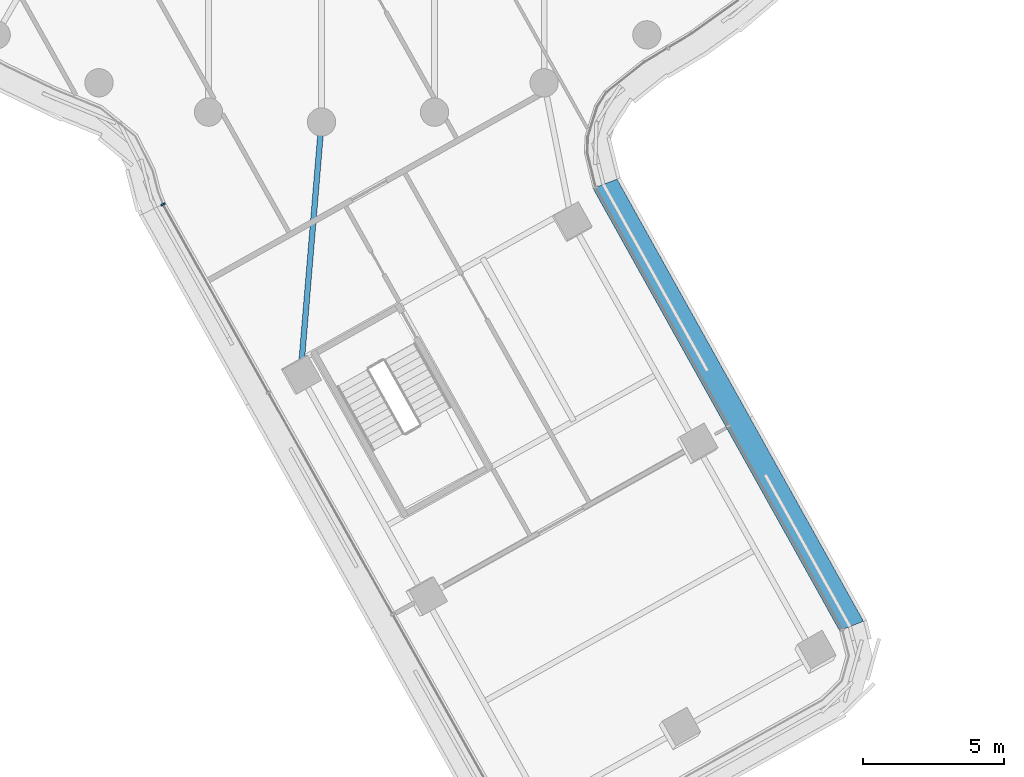
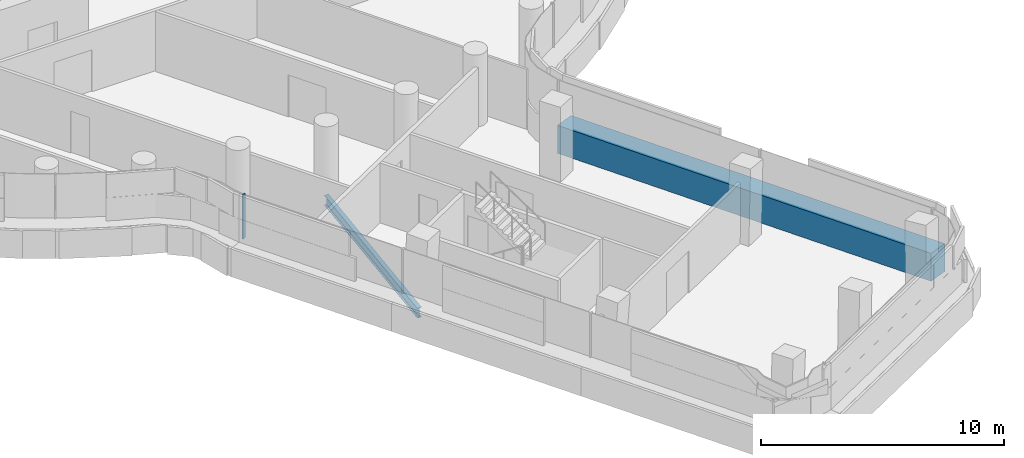
# One storey, part 4 of 34: 2 members, 1 beam, 2 elements without a shape of their own.
"""IFC4 building model written with IfcOpenShell, lengths in metres."""

from ifc_helpers import new_model, si_unit, direction, frame, origin, origin_2d, place, context, subcontext, project, spatial, polyline, rectangle, i_section, outline, extrude, material, layer, layer_set, material_profile, profile_set, type_object, element, aggregate, save


model = new_model("IFC4")

# Units and contexts
model_context = context("Model", 3, precision=1e-05, world=origin(), true_north=direction((0.0, 1.0)))
body_context = subcontext(model_context, "Body", "Model", "MODEL_VIEW")
ifc_project = project(units=[si_unit("LENGTHUNIT", "METRE"), si_unit("AREAUNIT", "SQUARE_METRE"), si_unit("VOLUMEUNIT", "CUBIC_METRE"), si_unit("PLANEANGLEUNIT", "RADIAN"), si_unit("MASSUNIT", "GRAM", prefix="KILO")], contexts=[model_context])

# Site, building, storey
site_placement = place(None, origin())
site = spatial("IfcSite", under=ifc_project, at=site_placement, CompositionType="ELEMENT")
building_placement = place(site_placement, origin())
building = spatial("IfcBuilding", under=site, at=building_placement, Name="Tamarind Cross Interchange Tower", CompositionType="ELEMENT")
storey_placement = place(building_placement, frame((0.0, 0.0, 140.5)))
storey = spatial("IfcBuildingStorey", under=building, at=storey_placement, Name="L34", CompositionType="ELEMENT", Elevation=140.5)

# Beam
ifc_material_1 = material(Name="Steel Q355B", Category="steel")
ifc_material_profile_1 = material_profile(ifc_material_1, i_section(OverallWidth=0.198974609375, OverallDepth=0.49609375, WebThickness=0.009033203125, FlangeThickness=0.013916015625, FilletRadius=0.012939453125, at=origin_2d()), Name="HN 496x199x9x14")
ifc_profile_set_1 = profile_set([ifc_material_profile_1], Name="Steel Q355B")
beam_type = type_object("IfcBeamType", Name="Composite beam HN 496x199x9x14 Q355B", PredefinedType="BEAM", material=ifc_profile_set_1)
beam_placement = place(storey_placement, frame((-0.742431640625, -31.92919921875, -0.387939453125), z_axis=(0.082860569195, 0.996561150192, 0.0), x_axis=(-0.996561150192, 0.082860569195, 0.0)))
element("IfcBeam", 1, at=beam_placement, inside=storey, type_object=beam_type, Name="Beam S-linkem", PredefinedType="BEAM", context=body_context, shape_type="SweptSolid", body=[
    extrude(i_section(OverallWidth=0.198974609375, OverallDepth=0.49609375, WebThickness=0.009033203125, FlangeThickness=0.013916015625, FilletRadius=0.012939453125, at=origin_2d()), origin(), (0.0, 0.0, 1.0), 8.9599609375),
])

# Curtain wall, member
ifc_material_2 = material(Name="Aluminium 6063-T6", Category="aluminium")
ifc_layer = layer(ifc_material_2, 0.159912109375)
ifc_layer_set = layer_set([ifc_layer], Name="Aluminium 6063-T6")
curtain_wall_type = type_object("IfcCurtainWallType", Name="Office curtain wall, 9.0 m bays", PredefinedType="NOTDEFINED", material=ifc_layer_set)
curtain_wall_1_placement = place(storey_placement, origin())
curtain_wall_1 = element("IfcCurtainWall", 2, at=curtain_wall_1_placement, inside=storey, type_object=curtain_wall_type, Name="CWS-L34-05", PredefinedType="NOTDEFINED")
ifc_material_3 = material(Name="Aluminium and insulated spandrel panel", Category="aluminium")
member_type_1 = type_object("IfcMemberType", Name="Floor-edge blade transom", PredefinedType="USERDEFINED", material=ifc_material_3)
member_1_placement = place(storey_placement, origin())
member_1 = element("IfcMember", 3, at=member_1_placement, type_object=member_type_1, Name="CWT-L34-05", ObjectType="TRANSOM", PredefinedType="USERDEFINED", context=body_context, shape_type="SweptSolid", body=[
    extrude(outline(polyline([(18.3115234375, -40.981201171875), (9.597900390625, -25.3505859375), (10.443359375, -25.0185546875), (19.15478515625, -40.645751953125), (18.3115234375, -40.981201171875)])), origin(), (0.0, 0.0, 1.0), 1.39990234375),
])
aggregate(curtain_wall_1, [member_1])

curtain_wall_2_placement = place(storey_placement, origin())
curtain_wall_2 = element("IfcCurtainWall", 4, at=curtain_wall_2_placement, inside=storey, type_object=curtain_wall_type, Name="CWS-L34-03", PredefinedType="NOTDEFINED")
ifc_material_profile_2 = material_profile(ifc_material_2, rectangle(XDim=0.06005859375, YDim=0.159912109375, at=origin_2d()), Name="Mullion CW1")
ifc_profile_set_2 = profile_set([ifc_material_profile_2], Name="Aluminium 6063-T6")
member_type_2 = type_object("IfcMemberType", Name="Mullion CW1", PredefinedType="MULLION", material=ifc_profile_set_2)
member_2_placement = place(storey_placement, frame((-5.604736328125, -25.908935546875, 1.39990234375), z_axis=(0.0, 0.0, 1.0), x_axis=(0.430580409113, -0.90255222081, 0.0)))
member_2 = element("IfcMember", 5, at=member_2_placement, type_object=member_type_2, Name="CWM-L34-03-00", PredefinedType="MULLION", context=body_context, shape_type="SweptSolid", body=[
    extrude(rectangle(XDim=0.06005859375, YDim=0.159912109375, at=origin_2d()), origin(), (0.0, 0.0, 1.0), 2.210205078125),
])
aggregate(curtain_wall_2, [member_2])

save(model, "model.ifc")
